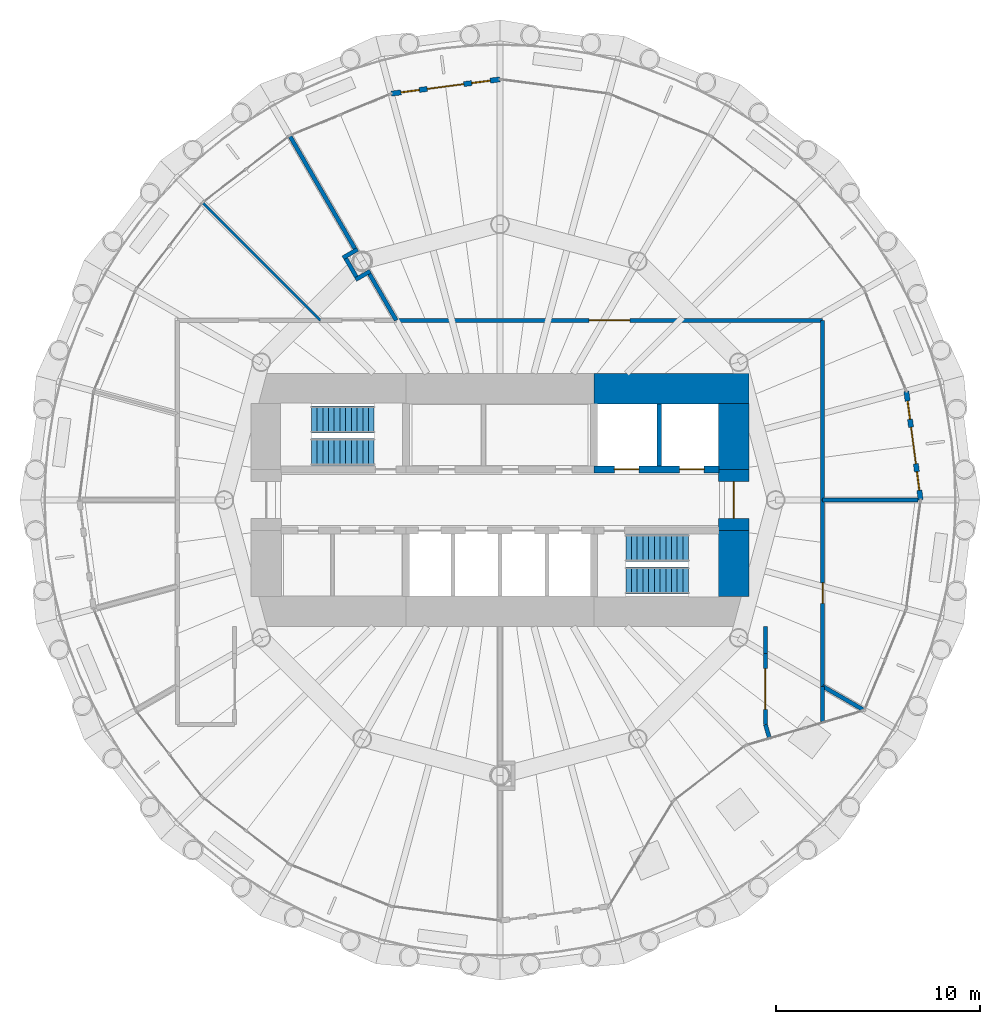
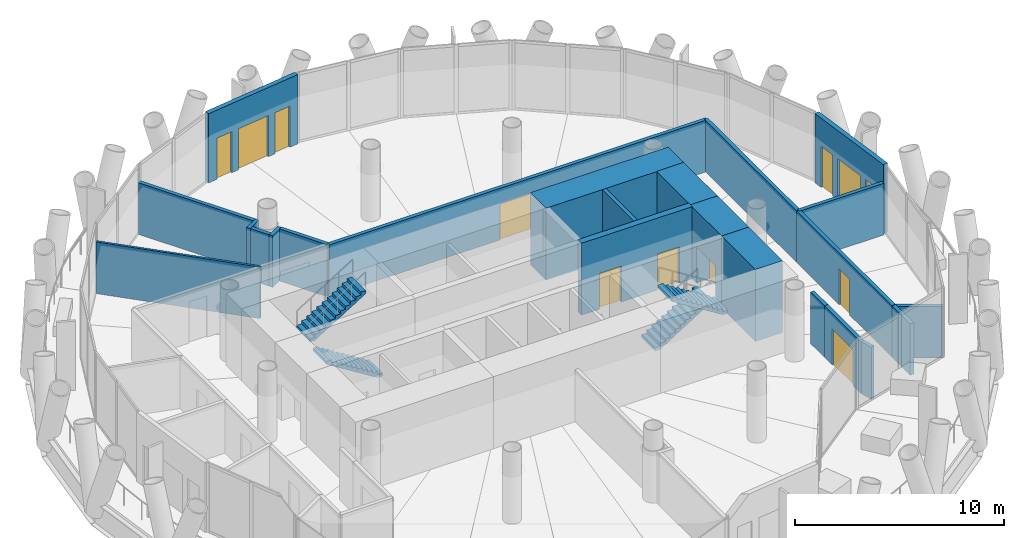
# One storey, part 10 of 14: 23 walls, 8 doors, 4 stair flights, 4 windows, 12 openings, 2 elements without a shape of their own.
"""IFC4 building model written with IfcOpenShell, lengths in metres."""

from ifc_helpers import new_model, si_unit, direction, frame, frame_2d, origin, place, context, subcontext, project, spatial, polyline, rectangle, outline, extrude, material, layer, layer_set, type_object, element, fill, aggregate, save


model = new_model("IFC4")

# Units and contexts
model_context = context("Model", 3, precision=1e-05, world=origin(), true_north=direction((0.0, 1.0)))
body_context = subcontext(model_context, "Body", "Model", "MODEL_VIEW")
ifc_project = project(units=[si_unit("LENGTHUNIT", "METRE"), si_unit("AREAUNIT", "SQUARE_METRE"), si_unit("VOLUMEUNIT", "CUBIC_METRE"), si_unit("PLANEANGLEUNIT", "RADIAN"), si_unit("MASSUNIT", "GRAM", prefix="KILO")], contexts=[model_context])

# Site, building, storey
site_placement = place(None, origin())
site = spatial("IfcSite", under=ifc_project, at=site_placement, CompositionType="ELEMENT")
building_placement = place(site_placement, origin())
building = spatial("IfcBuilding", under=site, at=building_placement, Name="Qaws Media Tower", CompositionType="ELEMENT")
storey_placement = place(building_placement, frame((0.0, 0.0, 210.800048828125)))
storey = spatial("IfcBuildingStorey", under=building, at=storey_placement, Name="L48", CompositionType="ELEMENT", Elevation=210.800048828125)

# Wall, openings, door, windows
ifc_material_1 = material(Name="Precast concrete, exposed finish", Category="concrete")
ifc_layer_1 = layer(ifc_material_1, 0.25)
ifc_layer_set_1 = layer_set([ifc_layer_1], Name="Balcony door wall 250")
wall_type_1 = type_object("IfcWallType", Name="Balcony door wall 250", PredefinedType="SOLIDWALL", material=ifc_layer_set_1)
wall_1_placement = place(storey_placement, frame((80.60009765625, 50.0, 0.0), z_axis=(0.0, 0.0, 1.0), x_axis=(-0.130519101615, 0.991445794844, 0.0)))
wall_1 = element("IfcWall", 1, at=wall_1_placement, inside=storey, type_object=wall_type_1, Name="W108 EW1 balcony door wall L48-01", PredefinedType="SOLIDWALL", context=body_context, shape_type="SweptSolid", body=[
    extrude(rectangle(XDim=5.377685546875, YDim=0.25, at=frame_2d((2.68896484375, 0.0))), origin(), (0.0, 0.0, 1.0), 4.0400390625),
])
opening_1_placement = place(wall_1_placement, frame((1.788818359375, 0.0, 0.0)))
opening_1 = element("IfcOpeningElement", 2, at=opening_1_placement, cuts=wall_1, Name="Opening D7", PredefinedType="OPENING", context=body_context, shape_type="SweptSolid", body=[
    extrude(rectangle(XDim=1.800048828125, YDim=2.39990234375, at=frame_2d((0.89990234375, 1.199951171875))), frame((0.0, 0.135009765625, 0.0), z_axis=(0.0, -1.0, 0.0), x_axis=(1.0, 0.0, 0.0)), (0.0, 0.0, 1.0), 0.27001953125),
])
opening_2_placement = place(wall_1_placement, frame((0.48876953125, 0.0, 0.0)))
opening_2 = element("IfcOpeningElement", 3, at=opening_2_placement, cuts=wall_1, Name="Opening W7", PredefinedType="OPENING", context=body_context, shape_type="SweptSolid", body=[
    extrude(rectangle(XDim=0.89990234375, YDim=2.39990234375, at=frame_2d((0.449951171875, 1.199951171875))), frame((0.0, 0.135009765625, 0.0), z_axis=(0.0, -1.0, 0.0), x_axis=(1.0, 0.0, 0.0)), (0.0, 0.0, 1.0), 0.27001953125),
])
opening_3_placement = place(wall_1_placement, frame((3.98876953125, 0.0, 0.0)))
opening_3 = element("IfcOpeningElement", 4, at=opening_3_placement, cuts=wall_1, Name="Opening W7", PredefinedType="OPENING", context=body_context, shape_type="SweptSolid", body=[
    extrude(rectangle(XDim=0.89990234375, YDim=2.39990234375, at=frame_2d((0.449951171875, 1.199951171875))), frame((0.0, 0.135009765625, 0.0), z_axis=(0.0, -1.0, 0.0), x_axis=(1.0, 0.0, 0.0)), (0.0, 0.0, 1.0), 0.27001953125),
])
ifc_material_2 = material(Name="Aluminium and clear glass", Category="aluminium")
door_type_1 = type_object("IfcDoorType", Name="Balcony door pair 1800", OperationType="DOUBLE_DOOR_SLIDING", PredefinedType="DOOR", material=ifc_material_2)
door_1_placement = place(opening_1_placement, origin())
door_1 = element("IfcDoor", 5, at=door_1_placement, inside=storey, type_object=door_type_1, Name="D7 balcony door L48-01 in wall W108", OperationType="DOUBLE_DOOR_SLIDING", OverallHeight=2.39990234375, OverallWidth=1.800048828125, PredefinedType="DOOR", context=body_context, shape_type="SweptSolid", body=[
    extrude(rectangle(XDim=1.800048828125, YDim=2.39990234375, at=frame_2d((0.89990234375, 1.199951171875))), frame((0.0, 0.02490234375, 0.0), z_axis=(0.0, -1.0, 0.0), x_axis=(1.0, 0.0, 0.0)), (0.0, 0.0, 1.0), 0.050048828125),
])
fill(opening_1, door_1)
ifc_material_3 = material(Name="Aluminium and clear glass", Category="aluminium")
window_type = type_object("IfcWindowType", Name="Balcony side window 900", PartitioningType="SINGLE_PANEL", PredefinedType="WINDOW", material=ifc_material_3)
window_1_placement = place(opening_2_placement, origin())
window_1 = element("IfcWindow", 6, at=window_1_placement, inside=storey, type_object=window_type, Name="W1 balcony side light L48-01L", OverallHeight=2.39990234375, OverallWidth=0.89990234375, PartitioningType="SINGLE_PANEL", PredefinedType="WINDOW", context=body_context, shape_type="SweptSolid", body=[
    extrude(rectangle(XDim=0.89990234375, YDim=2.39990234375, at=frame_2d((0.449951171875, 1.199951171875))), frame((0.0, 0.030029296875, 0.0), z_axis=(0.0, -1.0, 0.0), x_axis=(1.0, 0.0, 0.0)), (0.0, 0.0, 1.0), 0.06005859375),
])
fill(opening_2, window_1)
window_2_placement = place(opening_3_placement, origin())
window_2 = element("IfcWindow", 7, at=window_2_placement, inside=storey, type_object=window_type, Name="W1 balcony side light L48-01R", OverallHeight=2.39990234375, OverallWidth=0.89990234375, PartitioningType="SINGLE_PANEL", PredefinedType="WINDOW", context=body_context, shape_type="SweptSolid", body=[
    extrude(rectangle(XDim=0.89990234375, YDim=2.39990234375, at=frame_2d((0.449951171875, 1.199951171875))), frame((0.0, 0.030029296875, 0.0), z_axis=(0.0, -1.0, 0.0), x_axis=(1.0, 0.0, 0.0)), (0.0, 0.0, 1.0), 0.06005859375),
])
fill(opening_3, window_2)

wall_2_placement = place(storey_placement, frame((60.0, 70.60009765625, 0.0), z_axis=(0.0, 0.0, 1.0), x_axis=(-0.991445794844, -0.130519101615, 0.0)))
wall_2 = element("IfcWall", 8, at=wall_2_placement, inside=storey, type_object=wall_type_1, Name="W106 EW1 balcony door wall L48-07", PredefinedType="SOLIDWALL", context=body_context, shape_type="SweptSolid", body=[
    extrude(rectangle(XDim=5.377685546875, YDim=0.25, at=frame_2d((2.68896484375, 0.0))), origin(), (0.0, 0.0, 1.0), 4.0400390625),
])
opening_4_placement = place(wall_2_placement, frame((1.788818359375, 0.0, 0.0)))
opening_4 = element("IfcOpeningElement", 9, at=opening_4_placement, cuts=wall_2, Name="Opening D7", PredefinedType="OPENING", context=body_context, shape_type="SweptSolid", body=[
    extrude(rectangle(XDim=1.800048828125, YDim=2.39990234375, at=frame_2d((0.89990234375, 1.199951171875))), frame((0.0, 0.135009765625, 0.0), z_axis=(0.0, -1.0, 0.0), x_axis=(1.0, 0.0, 0.0)), (0.0, 0.0, 1.0), 0.27001953125),
])
opening_5_placement = place(wall_2_placement, frame((0.48876953125, 0.0, 0.0)))
opening_5 = element("IfcOpeningElement", 10, at=opening_5_placement, cuts=wall_2, Name="Opening W7", PredefinedType="OPENING", context=body_context, shape_type="SweptSolid", body=[
    extrude(rectangle(XDim=0.89990234375, YDim=2.39990234375, at=frame_2d((0.449951171875, 1.199951171875))), frame((0.0, 0.135009765625, 0.0), z_axis=(0.0, -1.0, 0.0), x_axis=(1.0, 0.0, 0.0)), (0.0, 0.0, 1.0), 0.27001953125),
])
opening_6_placement = place(wall_2_placement, frame((3.98876953125, 0.0, 0.0)))
opening_6 = element("IfcOpeningElement", 11, at=opening_6_placement, cuts=wall_2, Name="Opening W7", PredefinedType="OPENING", context=body_context, shape_type="SweptSolid", body=[
    extrude(rectangle(XDim=0.89990234375, YDim=2.39990234375, at=frame_2d((0.449951171875, 1.199951171875))), frame((0.0, 0.135009765625, 0.0), z_axis=(0.0, -1.0, 0.0), x_axis=(1.0, 0.0, 0.0)), (0.0, 0.0, 1.0), 0.27001953125),
])
door_2_placement = place(opening_4_placement, origin())
door_2 = element("IfcDoor", 12, at=door_2_placement, inside=storey, type_object=door_type_1, Name="D7 balcony door L48-07 in wall W106", OperationType="DOUBLE_DOOR_SLIDING", OverallHeight=2.39990234375, OverallWidth=1.800048828125, PredefinedType="DOOR", context=body_context, shape_type="SweptSolid", body=[
    extrude(rectangle(XDim=1.800048828125, YDim=2.39990234375, at=frame_2d((0.89990234375, 1.199951171875))), frame((0.0, 0.02490234375, 0.0), z_axis=(0.0, -1.0, 0.0), x_axis=(1.0, 0.0, 0.0)), (0.0, 0.0, 1.0), 0.050048828125),
])
fill(opening_4, door_2)
window_3_placement = place(opening_5_placement, origin())
window_3 = element("IfcWindow", 13, at=window_3_placement, inside=storey, type_object=window_type, Name="W1 balcony side light L48-07L", OverallHeight=2.39990234375, OverallWidth=0.89990234375, PartitioningType="SINGLE_PANEL", PredefinedType="WINDOW", context=body_context, shape_type="SweptSolid", body=[
    extrude(rectangle(XDim=0.89990234375, YDim=2.39990234375, at=frame_2d((0.449951171875, 1.199951171875))), frame((0.0, 0.030029296875, 0.0), z_axis=(0.0, -1.0, 0.0), x_axis=(1.0, 0.0, 0.0)), (0.0, 0.0, 1.0), 0.06005859375),
])
fill(opening_5, window_3)
window_4_placement = place(opening_6_placement, origin())
window_4 = element("IfcWindow", 14, at=window_4_placement, inside=storey, type_object=window_type, Name="W1 balcony side light L48-07R", OverallHeight=2.39990234375, OverallWidth=0.89990234375, PartitioningType="SINGLE_PANEL", PredefinedType="WINDOW", context=body_context, shape_type="SweptSolid", body=[
    extrude(rectangle(XDim=0.89990234375, YDim=2.39990234375, at=frame_2d((0.449951171875, 1.199951171875))), frame((0.0, 0.030029296875, 0.0), z_axis=(0.0, -1.0, 0.0), x_axis=(1.0, 0.0, 0.0)), (0.0, 0.0, 1.0), 0.06005859375),
])
fill(opening_6, window_4)

# Wall, openings, doors
ifc_material_4 = material(Name="Concrete C60/75", Category="concrete")
ifc_layer_2 = layer(ifc_material_4, 0.35009765625)
ifc_layer_set_2 = layer_set([ifc_layer_2], Name="Core inner wall 350")
wall_type_2 = type_object("IfcWallType", Name="Core inner wall 350", PredefinedType="SHEAR", material=ifc_layer_set_2)
wall_3_placement = place(storey_placement, frame((64.60009765625, 51.5, 0.0), z_axis=(0.0, 0.0, 1.0), x_axis=(1.0, 0.0, 0.0)))
wall_3 = element("IfcWall", 15, at=wall_3_placement, inside=storey, type_object=wall_type_2, Name="W308 SW5 core wall SPNE L48", PredefinedType="SHEAR", context=body_context, shape_type="SweptSolid", body=[
    extrude(rectangle(XDim=6.119873046875, YDim=0.35009765625, at=frame_2d((3.06005859375, 0.0))), origin(), (0.0, 0.0, 1.0), 4.199951171875),
])
opening_7_placement = place(wall_3_placement, frame((1.0, 0.0, 0.0)))
opening_7 = element("IfcOpeningElement", 16, at=opening_7_placement, cuts=wall_3, Name="Opening LD2", PredefinedType="OPENING", context=body_context, shape_type="SweptSolid", body=[
    extrude(rectangle(XDim=1.199951171875, YDim=2.10009765625, at=frame_2d((0.60009765625, 1.050048828125))), frame((0.0, 0.18505859375, 0.0), z_axis=(0.0, -1.0, 0.0), x_axis=(1.0, 0.0, 0.0)), (0.0, 0.0, 1.0), 0.3701171875),
])
opening_8_placement = place(wall_3_placement, frame((4.199951171875, 0.0, 0.0)))
opening_8 = element("IfcOpeningElement", 17, at=opening_8_placement, cuts=wall_3, Name="Opening LD2", PredefinedType="OPENING", context=body_context, shape_type="SweptSolid", body=[
    extrude(rectangle(XDim=1.199951171875, YDim=2.10009765625, at=frame_2d((0.60009765625, 1.050048828125))), frame((0.0, 0.18505859375, 0.0), z_axis=(0.0, -1.0, 0.0), x_axis=(1.0, 0.0, 0.0)), (0.0, 0.0, 1.0), 0.3701171875),
])
ifc_material_5 = material(Name="Steel, fire rated", Category="steel")
door_type_2 = type_object("IfcDoorType", Name="Lift landing door 1200", OperationType="SLIDING_TO_LEFT", PredefinedType="DOOR", material=ifc_material_5)
door_3_placement = place(opening_7_placement, origin())
door_3 = element("IfcDoor", 18, at=door_3_placement, inside=storey, type_object=door_type_2, Name="FL1 landing door L48 in wall W308", OperationType="SLIDING_TO_LEFT", OverallHeight=2.10009765625, OverallWidth=1.199951171875, PredefinedType="DOOR", context=body_context, shape_type="SweptSolid", body=[
    extrude(rectangle(XDim=1.199951171875, YDim=2.10009765625, at=frame_2d((0.60009765625, 1.050048828125))), frame((0.0, 0.02490234375, 0.0), z_axis=(0.0, -1.0, 0.0), x_axis=(1.0, 0.0, 0.0)), (0.0, 0.0, 1.0), 0.050048828125),
])
fill(opening_7, door_3)
door_4_placement = place(opening_8_placement, origin())
door_4 = element("IfcDoor", 19, at=door_4_placement, inside=storey, type_object=door_type_2, Name="FL2 landing door L48 in wall W308", OperationType="SLIDING_TO_LEFT", OverallHeight=2.10009765625, OverallWidth=1.199951171875, PredefinedType="DOOR", context=body_context, shape_type="SweptSolid", body=[
    extrude(rectangle(XDim=1.199951171875, YDim=2.10009765625, at=frame_2d((0.60009765625, 1.050048828125))), frame((0.0, 0.02490234375, 0.0), z_axis=(0.0, -1.0, 0.0), x_axis=(1.0, 0.0, 0.0)), (0.0, 0.0, 1.0), 0.050048828125),
])
fill(opening_8, door_4)

# Walls
ifc_material_6 = material(Name="Concrete C60/75", Category="concrete")
ifc_layer_3 = layer(ifc_material_6, 1.5)
ifc_layer_set_3 = layer_set([ifc_layer_3], Name="Core wall 1500")
wall_type_3 = type_object("IfcWallType", Name="Core wall 1500", PredefinedType="SHEAR", material=ifc_layer_set_3)
wall_4_placement = place(storey_placement, frame((64.60009765625, 55.449951171875, 0.0), z_axis=(0.0, 0.0, 1.0), x_axis=(1.0, 0.0, 0.0)))
element("IfcWall", 20, at=wall_4_placement, inside=storey, type_object=wall_type_3, Name="W382 SW13 core wall NE L48", PredefinedType="SHEAR", context=body_context, shape_type="SweptSolid", body=[
    extrude(rectangle(XDim=7.599853515625, YDim=1.5, at=frame_2d((3.7998046875, 0.0))), origin(), (0.0, 0.0, 1.0), 4.199951171875),
])
wall_5_placement = place(storey_placement, frame((71.449951171875, 45.280029296875, 0.0), z_axis=(0.0, 0.0, 1.0), x_axis=(0.0, 1.0, 0.0)))
element("IfcWall", 21, at=wall_5_placement, inside=storey, type_object=wall_type_3, Name="W383 SW13 core wall ES L48", PredefinedType="SHEAR", context=body_context, shape_type="SweptSolid", body=[
    extrude(rectangle(XDim=3.219970703125, YDim=1.5, at=frame_2d((1.60986328125, 0.0))), origin(), (0.0, 0.0, 1.0), 4.199951171875),
])

# Wall, opening, door
wall_6_placement = place(storey_placement, frame((71.449951171875, 48.5, 0.0), z_axis=(0.0, 0.0, 1.0), x_axis=(0.0, 1.0, 0.0)))
wall_6 = element("IfcWall", 22, at=wall_6_placement, inside=storey, type_object=wall_type_3, Name="W384 SW13 core wall E L48", PredefinedType="SHEAR", context=body_context, shape_type="SweptSolid", body=[
    extrude(rectangle(XDim=3.0, YDim=1.5, at=frame_2d((1.5, 0.0))), origin(), (0.0, 0.0, 1.0), 4.199951171875),
])
opening_9_placement = place(wall_6_placement, frame((0.60009765625, 0.0, 0.0)))
opening_9 = element("IfcOpeningElement", 23, at=opening_9_placement, cuts=wall_6, Name="Opening D2", PredefinedType="OPENING", context=body_context, shape_type="SweptSolid", body=[
    extrude(rectangle(XDim=1.800048828125, YDim=2.10009765625, at=frame_2d((0.89990234375, 1.050048828125))), frame((0.0, 0.760009765625, 0.0), z_axis=(0.0, -1.0, 0.0), x_axis=(1.0, 0.0, 0.0)), (0.0, 0.0, 1.0), 1.52001953125),
])
ifc_material_7 = material(Name="Steel and glass, fire rated", Category="steel")
door_type_3 = type_object("IfcDoorType", Name="Lobby door pair 1800 FD60", OperationType="DOUBLE_DOOR_DOUBLE_SWING", PredefinedType="DOOR", material=ifc_material_7)
door_5_placement = place(opening_9_placement, origin())
door_5 = element("IfcDoor", 24, at=door_5_placement, inside=storey, type_object=door_type_3, Name="D2 core lobby door E L48 in wall W384", OperationType="DOUBLE_DOOR_DOUBLE_SWING", OverallHeight=2.10009765625, OverallWidth=1.800048828125, PredefinedType="DOOR", context=body_context, shape_type="SweptSolid", body=[
    extrude(rectangle(XDim=1.800048828125, YDim=2.10009765625, at=frame_2d((0.89990234375, 1.050048828125))), frame((0.0, 0.02490234375, 0.0), z_axis=(0.0, -1.0, 0.0), x_axis=(1.0, 0.0, 0.0)), (0.0, 0.0, 1.0), 0.050048828125),
])
fill(opening_9, door_5)

# Walls
wall_7_placement = place(storey_placement, frame((71.449951171875, 51.5, 0.0), z_axis=(0.0, 0.0, 1.0), x_axis=(0.0, 1.0, 0.0)))
element("IfcWall", 25, at=wall_7_placement, inside=storey, type_object=wall_type_3, Name="W385 SW13 core wall EN L48", PredefinedType="SHEAR", context=body_context, shape_type="SweptSolid", body=[
    extrude(rectangle(XDim=3.219970703125, YDim=1.5, at=frame_2d((1.60986328125, 0.0))), origin(), (0.0, 0.0, 1.0), 4.199951171875),
])
ifc_material_8 = material(Name="Two layers gypsum board each side on 75 studs, insulated", Category="gypsum")
ifc_layer_4 = layer(ifc_material_8, 0.125)
ifc_layer_set_4 = layer_set([ifc_layer_4], Name="Meeting room partition 125 Rw 48")
wall_type_4 = type_object("IfcWallType", Name="Meeting room partition 125 Rw 48", PredefinedType="PARTITIONING", material=ifc_layer_set_4)
wall_8_placement = place(storey_placement, frame((51.20361328125, 58.79638671875, 0.0), z_axis=(0.0, 0.0, 1.0), x_axis=(-0.707106781187, 0.707106781187, 0.0)))
element("IfcWall", 26, at=wall_8_placement, inside=storey, type_object=wall_type_4, Name="W600 IW5 partition L48", PredefinedType="PARTITIONING", context=body_context, shape_type="SweptSolid", body=[
    extrude(rectangle(XDim=8.119873046875, YDim=0.125, at=frame_2d((4.06005859375, 0.0))), origin(), (0.0, 0.0, 1.0), 3.011962890625),
])

# Wall, opening, door
ifc_material_9 = material(Name="Gypsum board on galvanised metal studs, acoustic double stud, deflection head", Category="gypsum")
ifc_layer_5 = layer(ifc_material_9, 0.199951171875)
ifc_layer_set_5 = layer_set([ifc_layer_5], Name="Room partition 200")
wall_type_5 = type_object("IfcWallType", Name="Room partition 200", PredefinedType="PARTITIONING", material=ifc_layer_set_5)
wall_9_placement = place(storey_placement, frame((54.919189453125, 58.800048828125, 0.0), z_axis=(0.0, 0.0, 1.0), x_axis=(1.0, 0.0, 0.0)))
wall_9 = element("IfcWall", 27, at=wall_9_placement, inside=storey, type_object=wall_type_5, Name="W1534 IW3 partition L48", PredefinedType="PARTITIONING", context=body_context, shape_type="SweptSolid", body=[
    extrude(rectangle(XDim=20.880859375, YDim=0.199951171875, at=frame_2d((10.4404296875, 0.0))), origin(), (0.0, 0.0, 1.0), 3.011962890625),
])
opening_10_placement = place(wall_9_placement, frame((9.440185546875, 0.0, 0.0)))
opening_10 = element("IfcOpeningElement", 28, at=opening_10_placement, cuts=wall_9, Name="Opening D6", PredefinedType="OPENING", context=body_context, shape_type="SweptSolid", body=[
    extrude(rectangle(XDim=2.0, YDim=2.10009765625, at=frame_2d((1.0, 1.050048828125))), frame((0.0, 0.10986328125, 0.0), z_axis=(0.0, -1.0, 0.0), x_axis=(1.0, 0.0, 0.0)), (0.0, 0.0, 1.0), 0.219970703125),
])
ifc_material_10 = material(Name="Steel, acoustic, fire rated", Category="steel")
door_type_4 = type_object("IfcDoorType", Name="Room door pair 2000", OperationType="DOUBLE_DOOR_DOUBLE_SWING", PredefinedType="DOOR", material=ifc_material_10)
door_6_placement = place(opening_10_placement, origin())
door_6 = element("IfcDoor", 29, at=door_6_placement, inside=storey, type_object=door_type_4, Name="D6 Tenant studio office door L48 in wall W1534", OperationType="DOUBLE_DOOR_DOUBLE_SWING", OverallHeight=2.10009765625, OverallWidth=2.0, PredefinedType="DOOR", context=body_context, shape_type="SweptSolid", body=[
    extrude(rectangle(XDim=2.0, YDim=2.10009765625, at=frame_2d((1.0, 1.050048828125))), frame((0.0, 0.02490234375, 0.0), z_axis=(0.0, -1.0, 0.0), x_axis=(1.0, 0.0, 0.0)), (0.0, 0.0, 1.0), 0.050048828125),
])
fill(opening_10, door_6)

# Wall
wall_10_placement = place(storey_placement, frame((75.800048828125, 58.800048828125, 0.0), z_axis=(0.0, 0.0, 1.0), x_axis=(0.0, -1.0, 0.0)))
element("IfcWall", 30, at=wall_10_placement, inside=storey, type_object=wall_type_5, Name="W1545 IW3 partition L48", PredefinedType="PARTITIONING", context=body_context, shape_type="SweptSolid", body=[
    extrude(rectangle(XDim=8.800048828125, YDim=0.199951171875, at=frame_2d((4.39990234375, 0.0))), origin(), (0.0, 0.0, 1.0), 3.011962890625),
])

# Wall, opening, door
wall_11_placement = place(storey_placement, frame((75.800048828125, 50.0, 0.0), z_axis=(0.0, 0.0, 1.0), x_axis=(0.0, -1.0, 0.0)))
wall_11 = element("IfcWall", 31, at=wall_11_placement, inside=storey, type_object=wall_type_5, Name="W1375 IW3 partition L48", PredefinedType="PARTITIONING", context=body_context, shape_type="SweptSolid", body=[
    extrude(rectangle(XDim=9.1220703125, YDim=0.199951171875, at=frame_2d((4.56103515625, 0.0))), origin(), (0.0, 0.0, 1.0), 3.011962890625),
])
opening_11_placement = place(wall_11_placement, frame((4.06103515625, 0.0, 0.0)))
opening_11 = element("IfcOpeningElement", 32, at=opening_11_placement, cuts=wall_11, Name="Opening D5", PredefinedType="OPENING", context=body_context, shape_type="SweptSolid", body=[
    extrude(rectangle(XDim=1.0, YDim=2.10009765625, at=frame_2d((0.5, 1.050048828125))), frame((0.0, 0.10986328125, 0.0), z_axis=(0.0, -1.0, 0.0), x_axis=(1.0, 0.0, 0.0)), (0.0, 0.0, 1.0), 0.219970703125),
])
ifc_material_11 = material(Name="Timber veneered, acoustic seal", Category="wood")
door_type_5 = type_object("IfcDoorType", Name="Room door 1000", OperationType="SINGLE_SWING_LEFT", PredefinedType="DOOR", material=ifc_material_11)
door_7_placement = place(opening_11_placement, origin())
door_7 = element("IfcDoor", 33, at=door_7_placement, inside=storey, type_object=door_type_5, Name="D5 Tenant studio office door L48 in wall W1375", OperationType="SINGLE_SWING_LEFT", OverallHeight=2.10009765625, OverallWidth=1.0, PredefinedType="DOOR", context=body_context, shape_type="SweptSolid", body=[
    extrude(rectangle(XDim=1.0, YDim=2.10009765625, at=frame_2d((0.5, 1.050048828125))), frame((0.0, 0.02490234375, 0.0), z_axis=(0.0, -1.0, 0.0), x_axis=(1.0, 0.0, 0.0)), (0.0, 0.0, 1.0), 0.050048828125),
])
fill(opening_11, door_7)

# Wall
wall_12_placement = place(storey_placement, frame((75.800048828125, 40.8779296875, 0.0), z_axis=(0.0, 0.0, 1.0), x_axis=(0.0, -1.0, 0.0)))
element("IfcWall", 34, at=wall_12_placement, inside=storey, type_object=wall_type_5, Name="W1563 IW3 partition L48", PredefinedType="PARTITIONING", context=body_context, shape_type="SweptSolid", body=[
    extrude(rectangle(XDim=1.734375, YDim=0.199951171875, at=frame_2d((0.8671875, 0.0))), origin(), (0.0, 0.0, 1.0), 3.011962890625),
])

# Wall, opening, door
wall_13_placement = place(storey_placement, frame((73.0, 39.0, 0.0), z_axis=(0.0, 0.0, 1.0), x_axis=(0.0, 1.0, 0.0)))
wall_13 = element("IfcWall", 35, at=wall_13_placement, inside=storey, type_object=wall_type_5, Name="W1371 IW3 partition L48", PredefinedType="PARTITIONING", context=body_context, shape_type="SweptSolid", body=[
    extrude(rectangle(XDim=3.494384765625, YDim=0.199951171875, at=frame_2d((1.7470703125, 0.0))), origin(), (0.0, 0.0, 1.0), 3.011962890625),
])
opening_12_placement = place(wall_13_placement, frame((0.747314453125, 0.0, 0.0)))
opening_12 = element("IfcOpeningElement", 36, at=opening_12_placement, cuts=wall_13, Name="Opening D6", PredefinedType="OPENING", context=body_context, shape_type="SweptSolid", body=[
    extrude(rectangle(XDim=2.0, YDim=2.10009765625, at=frame_2d((1.0, 1.050048828125))), frame((0.0, 0.10986328125, 0.0), z_axis=(0.0, -1.0, 0.0), x_axis=(1.0, 0.0, 0.0)), (0.0, 0.0, 1.0), 0.219970703125),
])
door_8_placement = place(opening_12_placement, origin())
door_8 = element("IfcDoor", 37, at=door_8_placement, inside=storey, type_object=door_type_4, Name="D6 Tenant studio office door L48 in wall W1371", OperationType="DOUBLE_DOOR_DOUBLE_SWING", OverallHeight=2.10009765625, OverallWidth=2.0, PredefinedType="DOOR", context=body_context, shape_type="SweptSolid", body=[
    extrude(rectangle(XDim=2.0, YDim=2.10009765625, at=frame_2d((1.0, 1.050048828125))), frame((0.0, 0.02490234375, 0.0), z_axis=(0.0, -1.0, 0.0), x_axis=(1.0, 0.0, 0.0)), (0.0, 0.0, 1.0), 0.050048828125),
])
fill(opening_12, door_8)

# Walls
wall_14_placement = place(storey_placement, frame((73.0, 42.494384765625, 0.0), z_axis=(0.0, 0.0, 1.0), x_axis=(0.0, 1.0, 0.0)))
element("IfcWall", 38, at=wall_14_placement, inside=storey, type_object=wall_type_5, Name="W1542 IW3 partition L48", PredefinedType="PARTITIONING", context=body_context, shape_type="SweptSolid", body=[
    extrude(rectangle(XDim=1.3056640625, YDim=0.199951171875, at=frame_2d((0.65283203125, 0.0))), origin(), (0.0, 0.0, 1.0), 3.011962890625),
])
wall_15_placement = place(storey_placement, frame((75.800048828125, 50.0, 0.0), z_axis=(0.0, 0.0, 1.0), x_axis=(1.0, 0.0, 0.0)))
element("IfcWall", 39, at=wall_15_placement, inside=storey, type_object=wall_type_5, Name="W1564 IW3 partition L48", PredefinedType="PARTITIONING", context=body_context, shape_type="SweptSolid", body=[
    extrude(rectangle(XDim=4.659912109375, YDim=0.199951171875, at=frame_2d((2.330078125, 0.0))), origin(), (0.0, 0.0, 1.0), 3.011962890625),
])
for number, where, z_axis, x_axis, name in (
    (40, (53.64501953125, 61.20703125, 0.0), (0.0, 0.0, 1.0), (-0.865944638795, -0.50013986298, 0.0), "W1552 IW3 partition return L48"),
    (41, (53.028076171875, 62.275634765625, 0.0), (0.0, 0.0, 1.0), (-0.866072496716, -0.499918423778, 0.0), "W1551 IW3 partition return L48"),
):
    element("IfcWall", number, at=place(storey_placement, frame(where, z_axis=z_axis, x_axis=x_axis)), inside=storey, type_object=wall_type_5, Name=name, PredefinedType="PARTITIONING", context=body_context, shape_type="SweptSolid", body=[
        extrude(rectangle(XDim=0.826904296875, YDim=0.199951171875, at=frame_2d((0.41357421875, 0.0))), origin(), (0.0, 0.0, 1.0), 3.011962890625),
    ])
wall_16_placement = place(storey_placement, frame((52.965576171875, 60.93017578125, 0.0), z_axis=(0.0, 0.0, 1.0), x_axis=(-0.500049439734, 0.865996857859, 0.0)))
element("IfcWall", 42, at=wall_16_placement, inside=storey, type_object=wall_type_5, Name="W1550 IW3 partition return L48", PredefinedType="PARTITIONING", context=body_context, shape_type="SweptSolid", body=[
    extrude(rectangle(XDim=1.0341796875, YDim=0.199951171875, at=frame_2d((0.51708984375, 0.0))), origin(), (0.0, 0.0, 1.0), 3.011962890625),
])
wall_17_placement = place(storey_placement, frame((54.919921875, 58.798828125, 0.0), z_axis=(0.0, 0.0, 1.0), x_axis=(-0.500023253097, 0.866011978186, 0.0)))
element("IfcWall", 43, at=wall_17_placement, inside=storey, type_object=wall_type_5, Name="W1535 IW3 partition L48", PredefinedType="PARTITIONING", context=body_context, shape_type="SweptSolid", body=[
    extrude(rectangle(XDim=2.623046875, YDim=0.199951171875, at=frame_2d((1.3115234375, 0.0))), origin(), (0.0, 0.0, 1.0), 3.0400390625),
])
wall_18_placement = place(storey_placement, frame((52.8916015625, 62.312255859375, 0.0), z_axis=(0.0, 0.0, 1.0), x_axis=(-0.500017867033, 0.866015088002, 0.0)))
element("IfcWall", 44, at=wall_18_placement, inside=storey, type_object=wall_type_5, Name="W1559 IW3 partition L48", PredefinedType="PARTITIONING", context=body_context, shape_type="SweptSolid", body=[
    extrude(rectangle(XDim=6.343017578125, YDim=0.199951171875, at=frame_2d((3.17138671875, 0.0))), origin(), (0.0, 0.0, 1.0), 3.011962890625),
])
wall_19_placement = place(storey_placement, frame((75.79638671875, 40.8798828125, 0.0), z_axis=(0.0, 0.0, 1.0), x_axis=(0.866026103983, -0.499998787219, 0.0)))
element("IfcWall", 45, at=wall_19_placement, inside=storey, type_object=wall_type_5, Name="W1562 IW3 partition L48", PredefinedType="PARTITIONING", context=body_context, shape_type="SweptSolid", body=[
    extrude(rectangle(XDim=2.31982421875, YDim=0.199951171875, at=frame_2d((1.159912109375, 0.0))), origin(), (0.0, 0.0, 1.0), 3.011962890625),
])
wall_20_placement = place(storey_placement, frame((73.0, 39.0, 0.0), z_axis=(0.0, 0.0, 1.0), x_axis=(0.283585400364, -0.958946985344, 0.0)))
element("IfcWall", 46, at=wall_20_placement, inside=storey, type_object=wall_type_5, Name="W1561 IW3 partition L48", PredefinedType="PARTITIONING", context=body_context, shape_type="SweptSolid", body=[
    extrude(rectangle(XDim=0.6611328125, YDim=0.199951171875, at=frame_2d((0.33056640625, 0.0))), origin(), (0.0, 0.0, 1.0), 3.0400390625),
])
ifc_material_12 = material(Name="Fire-rated gypsum board shaft wall on galvanised metal studs, deflection head", Category="gypsum")
ifc_layer_6 = layer(ifc_material_12, 0.199951171875)
ifc_layer_set_6 = layer_set([ifc_layer_6], Name="Shaft wall 200")
wall_type_6 = type_object("IfcWallType", Name="Shaft wall 200", PredefinedType="PARTITIONING", material=ifc_layer_set_6)
wall_21_placement = place(storey_placement, frame((67.800048828125, 51.675048828125, 0.0), z_axis=(0.0, 0.0, 1.0), x_axis=(0.0, 1.0, 0.0)))
element("IfcWall", 47, at=wall_21_placement, inside=storey, type_object=wall_type_6, Name="W1874 IW1 shaft wall FL L48", PredefinedType="PARTITIONING", context=body_context, shape_type="SweptSolid", body=[
    extrude(rectangle(XDim=3.02490234375, YDim=0.199951171875, at=frame_2d((1.512451171875, 0.0))), origin(), (0.0, 0.0, 1.0), 4.199951171875),
])

# Stair, stair flights
ifc_material_13 = material(Name="Concrete C40/50", Category="concrete")
stair_type = type_object("IfcStairType", Name="Exit stair", PredefinedType="HALF_TURN_STAIR", material=ifc_material_13)
stair_1_placement = place(storey_placement, origin())
stair_1 = element("IfcStair", 48, at=stair_1_placement, inside=storey, type_object=stair_type, Name="S1 exit stair L48", PredefinedType="HALF_TURN_STAIR")
ifc_material_14 = material(Name="Concrete C40/50", Category="concrete")
stair_flight_type = type_object("IfcStairFlightType", Name="Stair flight 1310", PredefinedType="STRAIGHT", material=ifc_material_14)
stair_flight_1_placement = place(storey_placement, frame((53.840087890625, 52.35498046875, 0.0), z_axis=(0.0, 0.0, 1.0), x_axis=(-1.0, 0.0, 0.0)))
stair_flight_1 = element("IfcStairFlight", 49, at=stair_flight_1_placement, type_object=stair_flight_type, Name="S1 flight 1", NumberOfRisers=12, NumberOfTreads=11, PredefinedType="STRAIGHT", RiserHeight=0.175, TreadLength=0.28, context=body_context, shape_type="SweptSolid", body=[
    extrude(outline(polyline([(0.0, 0.0), (0.0, 0.175048828125), (0.280029296875, 0.175048828125), (0.280029296875, 0.35009765625), (0.56005859375, 0.35009765625), (0.56005859375, 0.52490234375), (0.840087890625, 0.52490234375), (0.840087890625, 0.699951171875), (1.1201171875, 0.699951171875), (1.1201171875, 0.875), (1.39990234375, 0.875), (1.39990234375, 1.050048828125), (1.679931640625, 1.050048828125), (1.679931640625, 1.22509765625), (1.9599609375, 1.22509765625), (1.9599609375, 1.39990234375), (2.239990234375, 1.39990234375), (2.239990234375, 1.574951171875), (2.52001953125, 1.574951171875), (2.52001953125, 1.75), (2.800048828125, 1.75), (2.800048828125, 1.925048828125), (3.080078125, 1.925048828125), (3.080078125, 2.10009765625), (3.080078125, 1.748291015625), (0.28271484375, 0.0), (0.0, 0.0)])), frame((0.0, 0.655029296875, 0.0), z_axis=(0.0, -1.0, 0.0), x_axis=(1.0, 0.0, 0.0)), (0.0, 0.0, 1.0), 1.31005859375),
])
stair_flight_2_placement = place(storey_placement, frame((50.760009765625, 53.945068359375, 2.099853515625), z_axis=(0.0, 0.0, 1.0), x_axis=(1.0, 0.0, 0.0)))
stair_flight_2 = element("IfcStairFlight", 50, at=stair_flight_2_placement, type_object=stair_flight_type, Name="S1 flight 2", NumberOfRisers=12, NumberOfTreads=11, PredefinedType="STRAIGHT", RiserHeight=0.175, TreadLength=0.28, context=body_context, shape_type="SweptSolid", body=[
    extrude(outline(polyline([(0.0, 0.0), (0.0, 0.175048828125), (0.280029296875, 0.175048828125), (0.280029296875, 0.35009765625), (0.56005859375, 0.35009765625), (0.56005859375, 0.52490234375), (0.840087890625, 0.52490234375), (0.840087890625, 0.699951171875), (1.1201171875, 0.699951171875), (1.1201171875, 0.875), (1.39990234375, 0.875), (1.39990234375, 1.050048828125), (1.679931640625, 1.050048828125), (1.679931640625, 1.22509765625), (1.9599609375, 1.22509765625), (1.9599609375, 1.39990234375), (2.239990234375, 1.39990234375), (2.239990234375, 1.574951171875), (2.52001953125, 1.574951171875), (2.52001953125, 1.75), (2.800048828125, 1.75), (2.800048828125, 1.925048828125), (3.080078125, 1.925048828125), (3.080078125, 2.10009765625), (3.080078125, 1.748291015625), (0.28271484375, 0.0), (0.0, 0.0)])), frame((0.0, 0.655029296875, 0.0), z_axis=(0.0, -1.0, 0.0), x_axis=(1.0, 0.0, 0.0)), (0.0, 0.0, 1.0), 1.31005859375),
])
aggregate(stair_1, [stair_flight_1, stair_flight_2])

stair_2_placement = place(storey_placement, origin())
stair_2 = element("IfcStair", 51, at=stair_2_placement, inside=storey, type_object=stair_type, Name="S2 exit stair L48", PredefinedType="HALF_TURN_STAIR")
stair_flight_3_placement = place(storey_placement, frame((66.159912109375, 47.64501953125, 0.0), z_axis=(0.0, 0.0, 1.0), x_axis=(1.0, 0.0, 0.0)))
stair_flight_3 = element("IfcStairFlight", 52, at=stair_flight_3_placement, type_object=stair_flight_type, Name="S2 flight 1", NumberOfRisers=12, NumberOfTreads=11, PredefinedType="STRAIGHT", RiserHeight=0.175, TreadLength=0.28, context=body_context, shape_type="SweptSolid", body=[
    extrude(outline(polyline([(0.0, 0.0), (0.0, 0.175048828125), (0.280029296875, 0.175048828125), (0.280029296875, 0.35009765625), (0.56005859375, 0.35009765625), (0.56005859375, 0.52490234375), (0.840087890625, 0.52490234375), (0.840087890625, 0.699951171875), (1.1201171875, 0.699951171875), (1.1201171875, 0.875), (1.39990234375, 0.875), (1.39990234375, 1.050048828125), (1.679931640625, 1.050048828125), (1.679931640625, 1.22509765625), (1.9599609375, 1.22509765625), (1.9599609375, 1.39990234375), (2.239990234375, 1.39990234375), (2.239990234375, 1.574951171875), (2.52001953125, 1.574951171875), (2.52001953125, 1.75), (2.800048828125, 1.75), (2.800048828125, 1.925048828125), (3.080078125, 1.925048828125), (3.080078125, 2.10009765625), (3.080078125, 1.748291015625), (0.28271484375, 0.0), (0.0, 0.0)])), frame((0.0, 0.655029296875, 0.0), z_axis=(0.0, -1.0, 0.0), x_axis=(1.0, 0.0, 0.0)), (0.0, 0.0, 1.0), 1.31005859375),
])
stair_flight_4_placement = place(storey_placement, frame((69.239990234375, 46.054931640625, 2.099853515625), z_axis=(0.0, 0.0, 1.0), x_axis=(-1.0, 0.0, 0.0)))
stair_flight_4 = element("IfcStairFlight", 53, at=stair_flight_4_placement, type_object=stair_flight_type, Name="S2 flight 2", NumberOfRisers=12, NumberOfTreads=11, PredefinedType="STRAIGHT", RiserHeight=0.175, TreadLength=0.28, context=body_context, shape_type="SweptSolid", body=[
    extrude(outline(polyline([(0.0, 0.0), (0.0, 0.175048828125), (0.280029296875, 0.175048828125), (0.280029296875, 0.35009765625), (0.56005859375, 0.35009765625), (0.56005859375, 0.52490234375), (0.840087890625, 0.52490234375), (0.840087890625, 0.699951171875), (1.1201171875, 0.699951171875), (1.1201171875, 0.875), (1.39990234375, 0.875), (1.39990234375, 1.050048828125), (1.679931640625, 1.050048828125), (1.679931640625, 1.22509765625), (1.9599609375, 1.22509765625), (1.9599609375, 1.39990234375), (2.239990234375, 1.39990234375), (2.239990234375, 1.574951171875), (2.52001953125, 1.574951171875), (2.52001953125, 1.75), (2.800048828125, 1.75), (2.800048828125, 1.925048828125), (3.080078125, 1.925048828125), (3.080078125, 2.10009765625), (3.080078125, 1.748291015625), (0.28271484375, 0.0), (0.0, 0.0)])), frame((0.0, 0.655029296875, 0.0), z_axis=(0.0, -1.0, 0.0), x_axis=(1.0, 0.0, 0.0)), (0.0, 0.0, 1.0), 1.31005859375),
])
aggregate(stair_2, [stair_flight_3, stair_flight_4])

save(model, "model.ifc")
